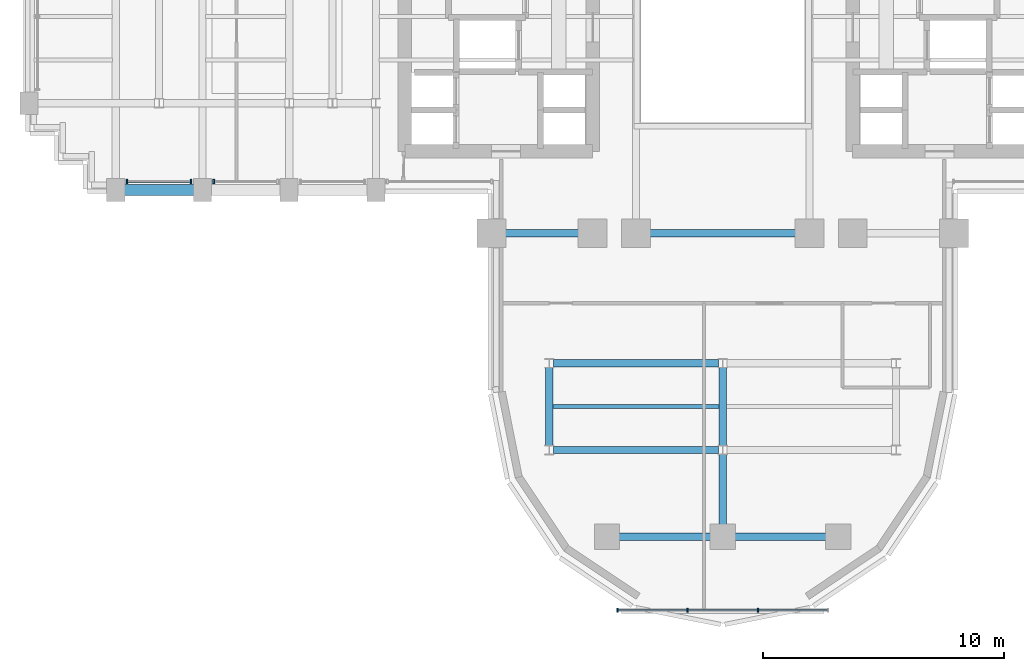
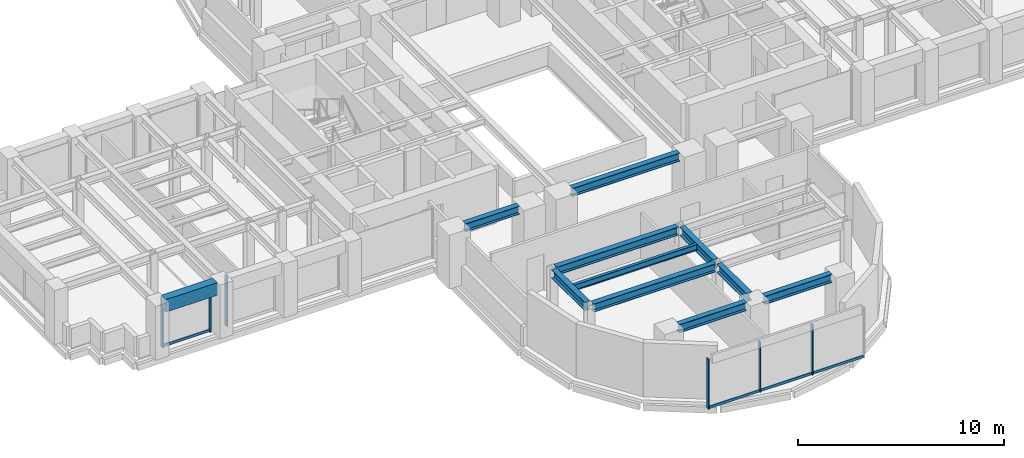
# One storey, part 3 of 16: 11 beams, 10 members, 3 elements without a shape of their own.
"""IFC4 building model written with IfcOpenShell, lengths in metres."""

from ifc_helpers import new_model, si_unit, direction, frame, origin, origin_2d, place, context, subcontext, project, spatial, rectangle, i_section, extrude, source, transform, mapped, material, material_profile, profile_set, type_object, element, aggregate, save


model = new_model("IFC4")

# Units and contexts
model_context = context("Model", 3, precision=1e-05, world=origin(), true_north=direction((0.0, 1.0)))
body_context = subcontext(model_context, "Body", "Model", "MODEL_VIEW")
ifc_project = project(units=[si_unit("LENGTHUNIT", "METRE"), si_unit("AREAUNIT", "SQUARE_METRE"), si_unit("VOLUMEUNIT", "CUBIC_METRE"), si_unit("PLANEANGLEUNIT", "RADIAN"), si_unit("MASSUNIT", "GRAM", prefix="KILO")], contexts=[model_context])

# Site, building, storey
site_placement = place(None, origin())
site = spatial("IfcSite", under=ifc_project, at=site_placement, CompositionType="ELEMENT")
building_placement = place(site_placement, origin())
building = spatial("IfcBuilding", under=site, at=building_placement, Name="Keilestroom Media Tower", CompositionType="ELEMENT")
storey_placement = place(building_placement, frame((0.0, 0.0, 81.60009765625)))
storey = spatial("IfcBuildingStorey", under=building, at=storey_placement, Name="L21", CompositionType="ELEMENT", Elevation=81.60009765625)

# Beams
ifc_material_1 = material(Name="Precast concrete C40/50", Category="concrete")
ifc_material_profile_1 = material_profile(ifc_material_1, rectangle(XDim=0.449951171875, YDim=0.75, at=origin_2d()), Name="PC 450x750")
ifc_profile_set_1 = profile_set([ifc_material_profile_1], Name="Precast concrete C40/50")
beam_type_1 = type_object("IfcBeamType", Name="Perimeter-Spandrel-Beam-PC-450x750", PredefinedType="SPANDREL", material=ifc_profile_set_1)
shared_shape_1 = source(origin(), body_context, "Body", "SweptSolid", [
    extrude(rectangle(XDim=0.449951171875, YDim=0.75, at=origin_2d()), origin(), (0.0, 0.0, 1.0), 2.889892578125),
])
beam_1_placement = place(storey_placement, frame((-24.844970703125, -7.199951171875, 2.824951171875), z_axis=(1.0, 0.0, 0.0), x_axis=(0.0, 1.0, 0.0)))
element("IfcBeam", 1, at=beam_1_placement, inside=storey, type_object=beam_type_1, Name="L21 Beam SPB-1 BM-L21-EW-012", PredefinedType="SPANDREL", context=body_context, shape_type="MappedRepresentation", body=[
    mapped(shared_shape_1, transform((0.0, 0.0, 0.0), x_axis=(1.0, 0.0, 0.0), y_axis=(0.0, 1.0, 0.0), z_axis=(0.0, 0.0, 1.0), scale=1.0)),
])
ifc_material_2 = material(Name="Steel S355", Category="steel")
ifc_material_profile_2 = material_profile(ifc_material_2, i_section(OverallWidth=0.300048828125, OverallDepth=0.5, WebThickness=0.012451171875, FlangeThickness=0.028076171875, at=origin_2d()), Name="HEB 500")
ifc_profile_set_2 = profile_set([ifc_material_profile_2], Name="Steel S355")
beam_type_2 = type_object("IfcBeamType", Name="Primary-Structural-Girder-HEB-500", PredefinedType="BEAM", material=ifc_profile_set_2)
shared_shape_2 = source(origin(), body_context, "Body", "SweptSolid", [
    extrude(i_section(OverallWidth=0.300048828125, OverallDepth=0.5, WebThickness=0.012451171875, FlangeThickness=0.028076171875, at=origin_2d()), origin(), (0.0, 0.0, 1.0), 3.23291015625),
])
for number, where, z_axis, x_axis, name in (
    (2, (-7.199951171875, -17.81640625, 2.949951171875), (0.0, 1.0, 0.0), (-1.0, 0.0, 0.0), "L21 Beam BG-6 BM-L21-NS-063"),
    (3, (0.0, -17.81640625, 2.949951171875), (0.0, 1.0, 0.0), (-1.0, 0.0, 0.0), "L21 Beam BG-6 BM-L21-NS-068"),
):
    element("IfcBeam", number, at=place(storey_placement, frame(where, z_axis=z_axis, x_axis=x_axis)), inside=storey, type_object=beam_type_2, Name=name, PredefinedType="BEAM", context=body_context, shape_type="MappedRepresentation", body=[
        mapped(shared_shape_2, transform((0.0, 0.0, 0.0), x_axis=(1.0, 0.0, 0.0), y_axis=(0.0, 1.0, 0.0), z_axis=(0.0, 0.0, 1.0), scale=1.0)),
    ])
shared_shape_3 = source(origin(), body_context, "Body", "SweptSolid", [
    extrude(i_section(OverallWidth=0.300048828125, OverallDepth=0.5, WebThickness=0.012451171875, FlangeThickness=0.028076171875, at=origin_2d()), origin(), (0.0, 0.0, 1.0), 2.911376953125),
])
beam_2_placement = place(storey_placement, frame((0.0, -21.094970703125, 2.949951171875), z_axis=(0.0, 1.0, 0.0), x_axis=(-1.0, 0.0, 0.0)))
element("IfcBeam", 4, at=beam_2_placement, inside=storey, type_object=beam_type_2, Name="L21 Beam BG-6 BM-L21-NS-067", PredefinedType="BEAM", context=body_context, shape_type="MappedRepresentation", body=[
    mapped(shared_shape_3, transform((0.0, 0.0, 0.0), x_axis=(1.0, 0.0, 0.0), y_axis=(0.0, 1.0, 0.0), z_axis=(0.0, 0.0, 1.0), scale=1.0)),
])
ifc_material_profile_3 = material_profile(ifc_material_2, i_section(OverallWidth=0.300048828125, OverallDepth=0.489990234375, WebThickness=0.011962890625, FlangeThickness=0.02294921875, at=origin_2d()), Name="HEA 500")
ifc_profile_set_3 = profile_set([ifc_material_profile_3], Name="Steel S355")
beam_type_3 = type_object("IfcBeamType", Name="Primary-Structural-Girder-HEA-500", PredefinedType="BEAM", material=ifc_profile_set_3)
shared_shape_4 = source(origin(), body_context, "Body", "SweptSolid", [
    extrude(i_section(OverallWidth=0.300048828125, OverallDepth=0.489990234375, WebThickness=0.011962890625, FlangeThickness=0.02294921875, at=origin_2d()), origin(), (0.0, 0.0, 1.0), 3.7900390625),
])
for number, where, z_axis, x_axis, name in (
    (5, (-4.294921875, -21.60009765625, 2.954833984375), (1.0, 0.0, 0.0), (0.0, 1.0, 0.0), "L21 Beam BG-10 BM-L21-EW-001"),
    (6, (0.5048828125, -21.60009765625, 2.954833984375), (1.0, 0.0, 0.0), (0.0, 1.0, 0.0), "L21 Beam BG-10 BM-L21-EW-002"),
):
    element("IfcBeam", number, at=place(storey_placement, frame(where, z_axis=z_axis, x_axis=x_axis)), inside=storey, type_object=beam_type_3, Name=name, PredefinedType="BEAM", context=body_context, shape_type="MappedRepresentation", body=[
        mapped(shared_shape_4, transform((0.0, 0.0, 0.0), x_axis=(1.0, 0.0, 0.0), y_axis=(0.0, 1.0, 0.0), z_axis=(0.0, 0.0, 1.0), scale=1.0)),
    ])
shared_shape_5 = source(origin(), body_context, "Body", "SweptSolid", [
    extrude(i_section(OverallWidth=0.300048828125, OverallDepth=0.489990234375, WebThickness=0.011962890625, FlangeThickness=0.02294921875, at=origin_2d()), origin(), (0.0, 0.0, 1.0), 6.836181640625),
])
for number, where, z_axis, x_axis, name in (
    (7, (-7.01806640625, -18.0, 2.954833984375), (1.0, 0.0, 0.0), (0.0, 1.0, 0.0), "L21 Beam BG-10 BM-L21-EW-003"),
    (8, (-7.01806640625, -14.39990234375, 2.954833984375), (1.0, 0.0, 0.0), (0.0, 1.0, 0.0), "L21 Beam BG-10 BM-L21-EW-005"),
):
    element("IfcBeam", number, at=place(storey_placement, frame(where, z_axis=z_axis, x_axis=x_axis)), inside=storey, type_object=beam_type_3, Name=name, PredefinedType="BEAM", context=body_context, shape_type="MappedRepresentation", body=[
        mapped(shared_shape_5, transform((0.0, 0.0, 0.0), x_axis=(1.0, 0.0, 0.0), y_axis=(0.0, 1.0, 0.0), z_axis=(0.0, 0.0, 1.0), scale=1.0)),
    ])
shared_shape_6 = source(origin(), body_context, "Body", "SweptSolid", [
    extrude(i_section(OverallWidth=0.300048828125, OverallDepth=0.489990234375, WebThickness=0.011962890625, FlangeThickness=0.02294921875, at=origin_2d()), origin(), (0.0, 0.0, 1.0), 3.0400390625),
])
beam_3_placement = place(storey_placement, frame((-9.02001953125, -9.0, 2.954833984375), z_axis=(1.0, 0.0, 0.0), x_axis=(0.0, 1.0, 0.0)))
element("IfcBeam", 9, at=beam_3_placement, inside=storey, type_object=beam_type_3, Name="L21 Beam BG-10 BM-L21-EW-007", PredefinedType="BEAM", context=body_context, shape_type="MappedRepresentation", body=[
    mapped(shared_shape_6, transform((0.0, 0.0, 0.0), x_axis=(1.0, 0.0, 0.0), y_axis=(0.0, 1.0, 0.0), z_axis=(0.0, 0.0, 1.0), scale=1.0)),
])
shared_shape_7 = source(origin(), body_context, "Body", "SweptSolid", [
    extrude(i_section(OverallWidth=0.300048828125, OverallDepth=0.489990234375, WebThickness=0.011962890625, FlangeThickness=0.02294921875, at=origin_2d()), origin(), (0.0, 0.0, 1.0), 6.0400390625),
])
beam_4_placement = place(storey_placement, frame((-3.02001953125, -9.0, 2.954833984375), z_axis=(1.0, 0.0, 0.0), x_axis=(0.0, 1.0, 0.0)))
element("IfcBeam", 10, at=beam_4_placement, inside=storey, type_object=beam_type_3, Name="L21 Beam BG-10 BM-L21-EW-009", PredefinedType="BEAM", context=body_context, shape_type="MappedRepresentation", body=[
    mapped(shared_shape_7, transform((0.0, 0.0, 0.0), x_axis=(1.0, 0.0, 0.0), y_axis=(0.0, 1.0, 0.0), z_axis=(0.0, 0.0, 1.0), scale=1.0)),
])
ifc_material_profile_4 = material_profile(ifc_material_2, i_section(OverallWidth=0.169921875, OverallDepth=0.360107421875, WebThickness=0.008056640625, FlangeThickness=0.0126953125, at=origin_2d()), Name="IPE 360")
ifc_profile_set_4 = profile_set([ifc_material_profile_4], Name="Steel S355")
beam_type_4 = type_object("IfcBeamType", Name="Secondary-Floor-Joist-IPE-360", PredefinedType="JOIST", material=ifc_profile_set_4)
shared_shape_8 = source(origin(), body_context, "Body", "SweptSolid", [
    extrude(i_section(OverallWidth=0.169921875, OverallDepth=0.360107421875, WebThickness=0.008056640625, FlangeThickness=0.0126953125, at=origin_2d()), origin(), (0.0, 0.0, 1.0), 6.940185546875),
])
beam_5_placement = place(storey_placement, frame((-7.070068359375, -16.199951171875, 3.02001953125), z_axis=(1.0, 0.0, 0.0), x_axis=(0.0, 1.0, 0.0)))
element("IfcBeam", 11, at=beam_5_placement, inside=storey, type_object=beam_type_4, Name="L21 Beam BJ-5 JST-L21-087", PredefinedType="JOIST", context=body_context, shape_type="MappedRepresentation", body=[
    mapped(shared_shape_8, transform((0.0, 0.0, 0.0), x_axis=(1.0, 0.0, 0.0), y_axis=(0.0, 1.0, 0.0), z_axis=(0.0, 0.0, 1.0), scale=1.0)),
])

# Curtain wall, members
ifc_material_3 = material(Name="Anodised Aluminium Alloy", Category="aluminium")
curtain_wall_type_1 = type_object("IfcCurtainWallType", Name="Unitised-Curtain-Wall-CW-1", PredefinedType="NOTDEFINED", material=ifc_material_3)
curtain_wall_1_placement = place(storey_placement, origin())
curtain_wall_1 = element("IfcCurtainWall", 12, at=curtain_wall_1_placement, inside=storey, type_object=curtain_wall_type_1, Name="L21 Curtain Wall CW-1 CW-L21-SW-1", PredefinedType="NOTDEFINED")
ifc_material_profile_5 = material_profile(ifc_material_3, rectangle(XDim=0.070068359375, YDim=0.199951171875, at=origin_2d()), Name="ALU MULLION 70x200")
ifc_profile_set_5 = profile_set([ifc_material_profile_5], Name="Anodised Aluminium Alloy")
member_type_1 = type_object("IfcMemberType", Name="Curtain-Wall-Mullion-CW-1", PredefinedType="MULLION", material=ifc_profile_set_5)
shared_shape_9 = source(origin(), body_context, "Body", "SweptSolid", [
    extrude(rectangle(XDim=0.070068359375, YDim=0.199951171875, at=origin_2d()), origin(), (0.0, 0.0, 1.0), 2.97998046875),
])
member_1_placement = place(storey_placement, frame((-24.72998046875, -6.85009765625, 0.0), z_axis=(0.0, 0.0, 1.0), x_axis=(1.0, 0.0, 0.0)))
member_1 = element("IfcMember", 13, at=member_1_placement, type_object=member_type_1, Name="CW-1 Mullion 00", PredefinedType="MULLION", context=body_context, shape_type="MappedRepresentation", body=[
    mapped(shared_shape_9, transform((0.0, 0.0, 0.0), x_axis=(1.0, 0.0, 0.0), y_axis=(0.0, 1.0, 0.0), z_axis=(0.0, 0.0, 1.0), scale=1.0)),
])
member_2_placement = place(storey_placement, frame((-22.070068359375, -6.85009765625, 0.0), z_axis=(0.0, 0.0, 1.0), x_axis=(1.0, 0.0, 0.0)))
member_2 = element("IfcMember", 14, at=member_2_placement, type_object=member_type_1, Name="CW-1 Mullion 01", PredefinedType="MULLION", context=body_context, shape_type="MappedRepresentation", body=[
    mapped(shared_shape_9, transform((0.0, 0.0, 0.0), x_axis=(1.0, 0.0, 0.0), y_axis=(0.0, 1.0, 0.0), z_axis=(0.0, 0.0, 1.0), scale=1.0)),
])

# Curtain wall, member
curtain_wall_2_placement = place(storey_placement, origin())
curtain_wall_2 = element("IfcCurtainWall", 15, at=curtain_wall_2_placement, inside=storey, type_object=curtain_wall_type_1, Name="L21 Curtain Wall CW-1 CW-L21-SW-2", PredefinedType="NOTDEFINED")
member_3_placement = place(storey_placement, frame((-21.1298828125, -6.85009765625, 0.0), z_axis=(0.0, 0.0, 1.0), x_axis=(1.0, 0.0, 0.0)))
member_3 = element("IfcMember", 16, at=member_3_placement, type_object=member_type_1, Name="CW-1 Mullion 00", PredefinedType="MULLION", context=body_context, shape_type="MappedRepresentation", body=[
    mapped(shared_shape_9, transform((0.0, 0.0, 0.0), x_axis=(1.0, 0.0, 0.0), y_axis=(0.0, 1.0, 0.0), z_axis=(0.0, 0.0, 1.0), scale=1.0)),
])
aggregate(curtain_wall_2, [member_3])

# Member
ifc_material_profile_6 = material_profile(ifc_material_3, rectangle(XDim=0.06494140625, YDim=0.14990234375, at=origin_2d()), Name="ALU TRANSOM 65x150")
ifc_profile_set_6 = profile_set([ifc_material_profile_6], Name="Anodised Aluminium Alloy")
member_type_2 = type_object("IfcMemberType", Name="Curtain-Wall-Transom-CW-1", PredefinedType="USERDEFINED", material=ifc_profile_set_6)
shared_shape_10 = source(origin(), body_context, "Body", "SweptSolid", [
    extrude(rectangle(XDim=0.06494140625, YDim=0.14990234375, at=origin_2d()), origin(), (0.0, 0.0, 1.0), 2.593994140625),
])
member_4_placement = place(storey_placement, frame((-24.697021484375, -6.85009765625, 0.074951171875), z_axis=(1.0, 0.0, 0.0), x_axis=(0.0, 1.0, 0.0)))
member_4 = element("IfcMember", 17, at=member_4_placement, type_object=member_type_2, Name="CW-1 Transom 00.1", ObjectType="TRANSOM", PredefinedType="USERDEFINED", context=body_context, shape_type="MappedRepresentation", body=[
    mapped(shared_shape_10, transform((0.0, 0.0, 0.0), x_axis=(1.0, 0.0, 0.0), y_axis=(0.0, 1.0, 0.0), z_axis=(0.0, 0.0, 1.0), scale=1.0)),
])

aggregate(curtain_wall_1, [member_1, member_2, member_4])

# Curtain wall, members
curtain_wall_type_2 = type_object("IfcCurtainWallType", Name="Unitised-Curtain-Wall-CW-6", PredefinedType="NOTDEFINED", material=ifc_material_3)
curtain_wall_3_placement = place(storey_placement, origin())
curtain_wall_3 = element("IfcCurtainWall", 18, at=curtain_wall_3_placement, inside=storey, type_object=curtain_wall_type_2, Name="L21 Curtain Wall CW-6 CW-L21-LS-1", PredefinedType="NOTDEFINED")
ifc_material_profile_7 = material_profile(ifc_material_3, rectangle(XDim=0.06494140625, YDim=0.179931640625, at=origin_2d()), Name="ALU MULLION 65x180")
ifc_profile_set_7 = profile_set([ifc_material_profile_7], Name="Anodised Aluminium Alloy")
member_type_3 = type_object("IfcMemberType", Name="Curtain-Wall-Mullion-CW-6", PredefinedType="MULLION", material=ifc_profile_set_7)
shared_shape_11 = source(origin(), body_context, "Body", "SweptSolid", [
    extrude(rectangle(XDim=0.06494140625, YDim=0.179931640625, at=origin_2d()), origin(), (0.0, 0.0, 1.0), 2.97998046875),
])
member_5_placement = place(storey_placement, frame((-4.367431640625, -24.64990234375, 0.0), z_axis=(0.0, 0.0, 1.0), x_axis=(1.0, 0.0, 0.0)))
member_5 = element("IfcMember", 19, at=member_5_placement, type_object=member_type_3, Name="CW-6 Mullion 00", PredefinedType="MULLION", context=body_context, shape_type="MappedRepresentation", body=[
    mapped(shared_shape_11, transform((0.0, 0.0, 0.0), x_axis=(1.0, 0.0, 0.0), y_axis=(0.0, 1.0, 0.0), z_axis=(0.0, 0.0, 1.0), scale=1.0)),
])
member_6_placement = place(storey_placement, frame((-1.466796875, -24.64990234375, 0.0), z_axis=(0.0, 0.0, 1.0), x_axis=(1.0, 0.0, 0.0)))
member_6 = element("IfcMember", 20, at=member_6_placement, type_object=member_type_3, Name="CW-6 Mullion 01", PredefinedType="MULLION", context=body_context, shape_type="MappedRepresentation", body=[
    mapped(shared_shape_11, transform((0.0, 0.0, 0.0), x_axis=(1.0, 0.0, 0.0), y_axis=(0.0, 1.0, 0.0), z_axis=(0.0, 0.0, 1.0), scale=1.0)),
])
member_7_placement = place(storey_placement, frame((1.466796875, -24.64990234375, 0.0), z_axis=(0.0, 0.0, 1.0), x_axis=(1.0, 0.0, 0.0)))
member_7 = element("IfcMember", 21, at=member_7_placement, type_object=member_type_3, Name="CW-6 Mullion 02", PredefinedType="MULLION", context=body_context, shape_type="MappedRepresentation", body=[
    mapped(shared_shape_11, transform((0.0, 0.0, 0.0), x_axis=(1.0, 0.0, 0.0), y_axis=(0.0, 1.0, 0.0), z_axis=(0.0, 0.0, 1.0), scale=1.0)),
])
ifc_material_profile_8 = material_profile(ifc_material_3, rectangle(XDim=0.06494140625, YDim=0.14990234375, at=origin_2d()), Name="ALU TRANSOM 65x150")
ifc_profile_set_8 = profile_set([ifc_material_profile_8], Name="Anodised Aluminium Alloy")
member_type_4 = type_object("IfcMemberType", Name="Curtain-Wall-Transom-CW-6", PredefinedType="USERDEFINED", material=ifc_profile_set_8)
shared_shape_12 = source(origin(), body_context, "Body", "SweptSolid", [
    extrude(rectangle(XDim=0.06494140625, YDim=0.14990234375, at=origin_2d()), origin(), (0.0, 0.0, 1.0), 2.839599609375),
])
member_8_placement = place(storey_placement, frame((-4.3369140625, -24.64990234375, 0.074951171875), z_axis=(1.0, 0.0, 0.0), x_axis=(0.0, 1.0, 0.0)))
member_8 = element("IfcMember", 22, at=member_8_placement, type_object=member_type_4, Name="CW-6 Transom 00.1", ObjectType="TRANSOM", PredefinedType="USERDEFINED", context=body_context, shape_type="MappedRepresentation", body=[
    mapped(shared_shape_12, transform((0.0, 0.0, 0.0), x_axis=(1.0, 0.0, 0.0), y_axis=(0.0, 1.0, 0.0), z_axis=(0.0, 0.0, 1.0), scale=1.0)),
])
member_9_placement = place(storey_placement, frame((1.497314453125, -24.64990234375, 0.074951171875), z_axis=(1.0, 0.0, 0.0), x_axis=(0.0, 1.0, 0.0)))
member_9 = element("IfcMember", 23, at=member_9_placement, type_object=member_type_4, Name="CW-6 Transom 02.1", ObjectType="TRANSOM", PredefinedType="USERDEFINED", context=body_context, shape_type="MappedRepresentation", body=[
    mapped(shared_shape_12, transform((0.0, 0.0, 0.0), x_axis=(1.0, 0.0, 0.0), y_axis=(0.0, 1.0, 0.0), z_axis=(0.0, 0.0, 1.0), scale=1.0)),
])
shared_shape_13 = source(origin(), body_context, "Body", "SweptSolid", [
    extrude(rectangle(XDim=0.06494140625, YDim=0.14990234375, at=origin_2d()), origin(), (0.0, 0.0, 1.0), 2.87255859375),
])
member_10_placement = place(storey_placement, frame((-1.436279296875, -24.64990234375, 0.074951171875), z_axis=(1.0, 0.0, 0.0), x_axis=(0.0, 1.0, 0.0)))
member_10 = element("IfcMember", 24, at=member_10_placement, type_object=member_type_4, Name="CW-6 Transom 01.1", ObjectType="TRANSOM", PredefinedType="USERDEFINED", context=body_context, shape_type="MappedRepresentation", body=[
    mapped(shared_shape_13, transform((0.0, 0.0, 0.0), x_axis=(1.0, 0.0, 0.0), y_axis=(0.0, 1.0, 0.0), z_axis=(0.0, 0.0, 1.0), scale=1.0)),
])
aggregate(curtain_wall_3, [member_5, member_6, member_7, member_8, member_10, member_9])

save(model, "model.ifc")
